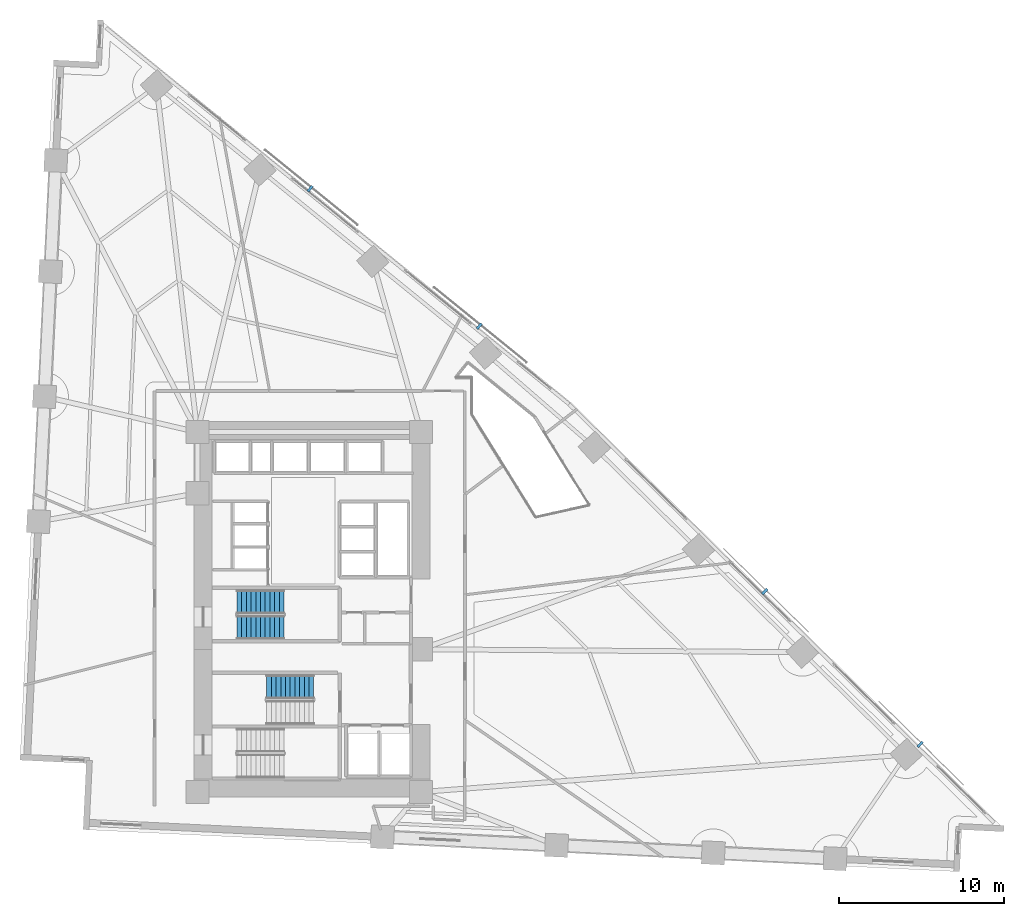
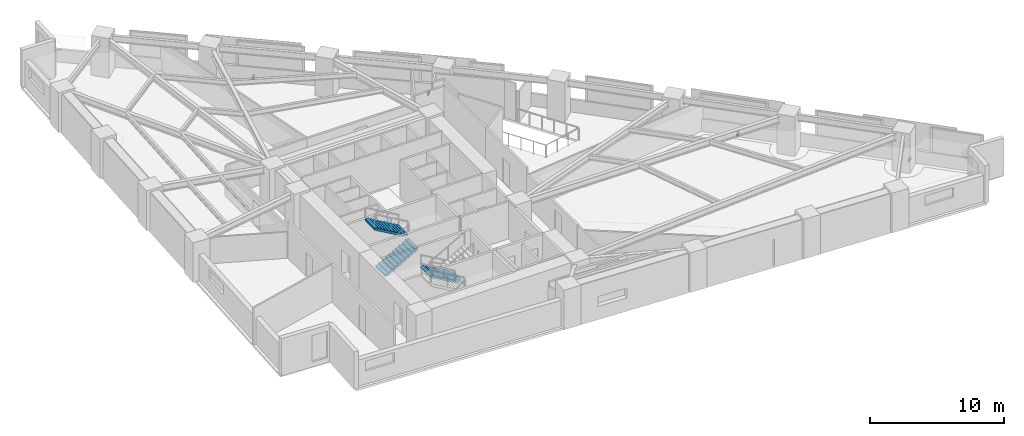
# One storey, part 15 of 17: 4 discrete accessories, 3 stair flights, 2 elements without a shape of their own.
"""IFC4 building model written with IfcOpenShell, lengths in metres."""

from ifc_helpers import new_model, si_unit, direction, frame, origin, origin_2d, place, context, subcontext, project, spatial, polyline, rectangle, outline, extrude, material, type_object, element, aggregate, save


model = new_model("IFC4")

# Units and contexts
model_context = context("Model", 3, precision=1e-05, world=origin(), true_north=direction((0.0, 1.0)))
body_context = subcontext(model_context, "Body", "Model", "MODEL_VIEW")
ifc_project = project(units=[si_unit("LENGTHUNIT", "METRE"), si_unit("AREAUNIT", "SQUARE_METRE"), si_unit("VOLUMEUNIT", "CUBIC_METRE"), si_unit("PLANEANGLEUNIT", "RADIAN"), si_unit("MASSUNIT", "GRAM", prefix="KILO")], contexts=[model_context])

# Site, building, storey
site_placement = place(None, origin())
site = spatial("IfcSite", under=ifc_project, at=site_placement, CompositionType="ELEMENT")
building_placement = place(site_placement, origin())
building = spatial("IfcBuilding", under=site, at=building_placement, Name="Narakoshi Arena Tower", CompositionType="ELEMENT")
storey_placement = place(building_placement, frame((0.0, 0.0, 30.300048828125)))
storey = spatial("IfcBuildingStorey", under=building, at=storey_placement, Name="L07", CompositionType="ELEMENT", Elevation=30.300048828125)

# Stair, stair flight
ifc_material_1 = material(Name="Concrete C45/55", Category="concrete")
stair_type = type_object("IfcStairType", Name="STR-CORE-360", PredefinedType="TWO_STRAIGHT_RUN_STAIR", material=ifc_material_1)
stair_1_placement = place(storey_placement, origin())
stair_1 = element("IfcStair", 1, at=stair_1_placement, inside=storey, type_object=stair_type, Name="L07 Core Escape Stair ST2", PredefinedType="TWO_STRAIGHT_RUN_STAIR")
ifc_material_2 = material(Name="Precast concrete C45/55", Category="concrete")
stair_flight_type = type_object("IfcStairFlightType", Name="FLT-145-160", PredefinedType="STRAIGHT", material=ifc_material_2)
stair_flight_1_placement = place(storey_placement, frame((79.050048828125, 41.074951171875, 0.0), z_axis=(0.0, 0.0, 1.0), x_axis=(-1.0, 0.0, 0.0)))
stair_flight_1 = element("IfcStairFlight", 2, at=stair_flight_1_placement, type_object=stair_flight_type, Name="ST2 flight 1", NumberOfRisers=11, NumberOfTreads=10, PredefinedType="STRAIGHT", RiserHeight=0.163636364, TreadLength=0.285, context=body_context, shape_type="SweptSolid", body=[
    extrude(outline(polyline([(0.0, 0.0), (0.0, 0.16357421875), (0.284912109375, 0.16357421875), (0.284912109375, 0.327392578125), (0.570068359375, 0.327392578125), (0.570068359375, 0.490966796875), (0.85498046875, 0.490966796875), (0.85498046875, 0.654541015625), (1.139892578125, 0.654541015625), (1.139892578125, 0.818115234375), (1.425048828125, 0.818115234375), (1.425048828125, 0.98193359375), (1.7099609375, 0.98193359375), (1.7099609375, 1.1455078125), (1.9951171875, 1.1455078125), (1.9951171875, 1.30908203125), (2.280029296875, 1.30908203125), (2.280029296875, 1.47265625), (2.56494140625, 1.47265625), (2.56494140625, 1.636474609375), (2.85009765625, 1.636474609375), (2.85009765625, 1.800048828125), (2.85009765625, 1.463623046875), (0.301025390625, 0.0), (0.0, 0.0)])), frame((0.0, 0.72509765625, 0.0), z_axis=(0.0, -1.0, 0.0), x_axis=(1.0, 0.0, 0.0)), (0.0, 0.0, 1.0), 1.449951171875),
])
aggregate(stair_1, [stair_flight_1])

# Stair, stair flights
stair_2_placement = place(storey_placement, origin())
stair_2 = element("IfcStair", 3, at=stair_2_placement, inside=storey, type_object=stair_type, Name="L07 Core Escape Stair ST3", PredefinedType="TWO_STRAIGHT_RUN_STAIR")
stair_flight_2_placement = place(storey_placement, frame((74.39990234375, 44.675048828125, 0.0), z_axis=(0.0, 0.0, 1.0), x_axis=(1.0, 0.0, 0.0)))
stair_flight_2 = element("IfcStairFlight", 4, at=stair_flight_2_placement, type_object=stair_flight_type, Name="ST3 flight 1", NumberOfRisers=11, NumberOfTreads=10, PredefinedType="STRAIGHT", RiserHeight=0.163636364, TreadLength=0.285, context=body_context, shape_type="SweptSolid", body=[
    extrude(outline(polyline([(0.0, 0.0), (0.0, 0.16357421875), (0.284912109375, 0.16357421875), (0.284912109375, 0.327392578125), (0.570068359375, 0.327392578125), (0.570068359375, 0.490966796875), (0.85498046875, 0.490966796875), (0.85498046875, 0.654541015625), (1.139892578125, 0.654541015625), (1.139892578125, 0.818115234375), (1.425048828125, 0.818115234375), (1.425048828125, 0.98193359375), (1.7099609375, 0.98193359375), (1.7099609375, 1.1455078125), (1.9951171875, 1.1455078125), (1.9951171875, 1.30908203125), (2.280029296875, 1.30908203125), (2.280029296875, 1.47265625), (2.56494140625, 1.47265625), (2.56494140625, 1.636474609375), (2.85009765625, 1.636474609375), (2.85009765625, 1.800048828125), (2.85009765625, 1.463623046875), (0.301025390625, 0.0), (0.0, 0.0)])), frame((0.0, 0.72509765625, 0.0), z_axis=(0.0, -1.0, 0.0), x_axis=(1.0, 0.0, 0.0)), (0.0, 0.0, 1.0), 1.449951171875),
])
stair_flight_3_placement = place(storey_placement, frame((77.25, 46.22509765625, 1.800048828125), z_axis=(0.0, 0.0, 1.0), x_axis=(-1.0, 0.0, 0.0)))
stair_flight_3 = element("IfcStairFlight", 5, at=stair_flight_3_placement, type_object=stair_flight_type, Name="ST3 flight 2", NumberOfRisers=11, NumberOfTreads=10, PredefinedType="STRAIGHT", RiserHeight=0.163636364, TreadLength=0.285, context=body_context, shape_type="SweptSolid", body=[
    extrude(outline(polyline([(0.0, 0.0), (0.0, 0.16357421875), (0.284912109375, 0.16357421875), (0.284912109375, 0.327392578125), (0.570068359375, 0.327392578125), (0.570068359375, 0.490966796875), (0.85498046875, 0.490966796875), (0.85498046875, 0.654541015625), (1.139892578125, 0.654541015625), (1.139892578125, 0.818115234375), (1.425048828125, 0.818115234375), (1.425048828125, 0.98193359375), (1.7099609375, 0.98193359375), (1.7099609375, 1.1455078125), (1.9951171875, 1.1455078125), (1.9951171875, 1.30908203125), (2.280029296875, 1.30908203125), (2.280029296875, 1.47265625), (2.56494140625, 1.47265625), (2.56494140625, 1.636474609375), (2.85009765625, 1.636474609375), (2.85009765625, 1.800048828125), (2.85009765625, 1.463623046875), (0.301025390625, 0.0), (0.0, 0.0)])), frame((0.0, 0.72509765625, 0.0), z_axis=(0.0, -1.0, 0.0), x_axis=(1.0, 0.0, 0.0)), (0.0, 0.0, 1.0), 1.449951171875),
])
aggregate(stair_2, [stair_flight_2, stair_flight_3])

# Discrete accessories
ifc_material_3 = material(Name="Structural steel S355J2", Category="steel")
discrete_accessory_type = type_object("IfcDiscreteAccessoryType", Name="ACC-BRK-SCR", PredefinedType="BRACKET", material=ifc_material_3)
for number, where, z_axis, x_axis, name in (
    (6, (115.783203125, 37.58740234375, -0.080078125), (0.0, 0.0, 1.0), (-0.712540559713, 0.70163092204, 0.0), "L07 Solar Screen Support Bracket SHD-L07-SCR1-1"),
    (7, (106.377685546875, 46.848876953125, -0.080078125), (0.0, 0.0, 1.0), (-0.712540559713, 0.70163092204, 0.0), "L07 Solar Screen Support Bracket SHD-L07-SCR1-2"),
    (8, (89.077392578125, 62.923095703125, -0.080078125), (0.0, 0.0, 1.0), (-0.776002375698, 0.630729984154, 0.0), "L07 Solar Screen Support Bracket SHD-L07-SCR2-1"),
    (9, (78.833984375, 71.248779296875, -0.080078125), (0.0, 0.0, 1.0), (-0.776002375698, 0.630729984154, 0.0), "L07 Solar Screen Support Bracket SHD-L07-SCR2-2"),
):
    element("IfcDiscreteAccessory", number, at=place(storey_placement, frame(where, z_axis=z_axis, x_axis=x_axis)), inside=storey, type_object=discrete_accessory_type, Name=name, PredefinedType="BRACKET", context=body_context, shape_type="SweptSolid", body=[
        extrude(rectangle(XDim=0.159912109375, YDim=0.425048828125, at=origin_2d()), origin(), (0.0, 0.0, 1.0), 0.199951171875),
    ])

save(model, "model.ifc")
